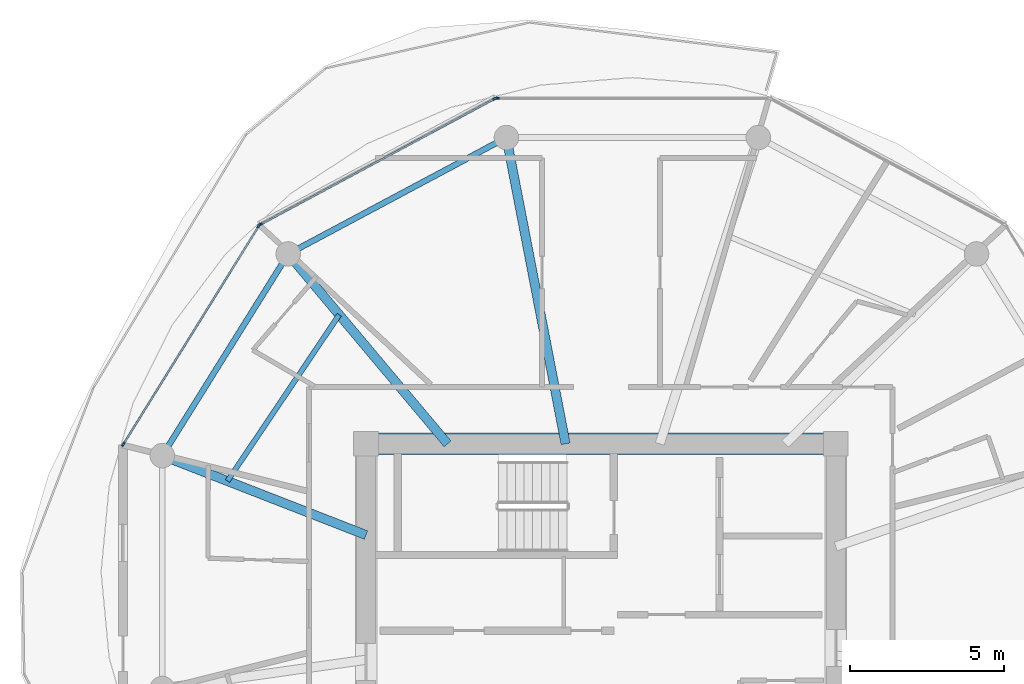
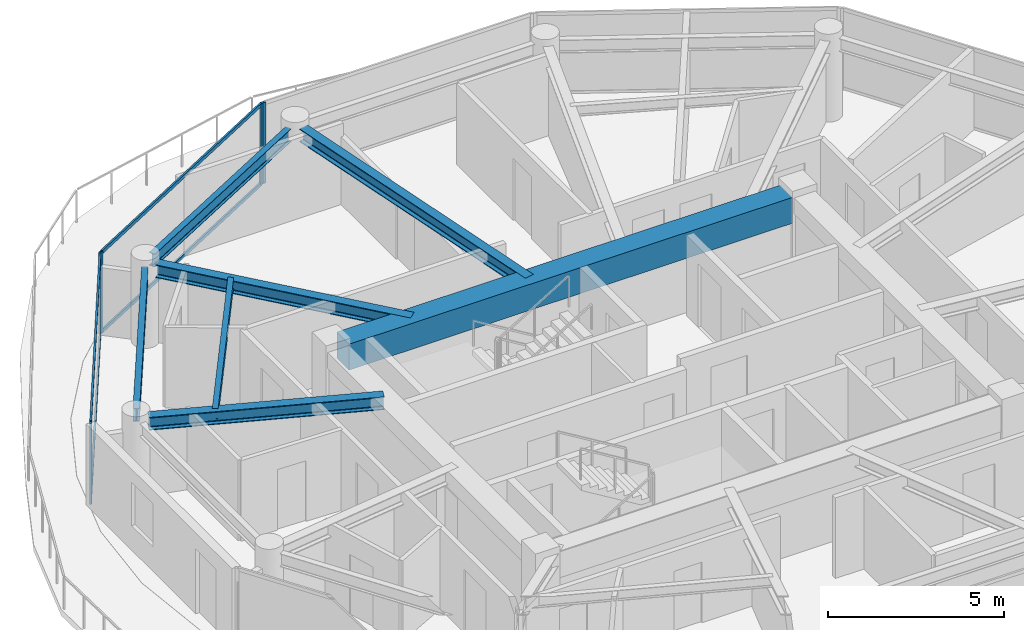
# One storey, part 4 of 22: 9 members, 7 beams, 3 elements without a shape of their own.
"""IFC4 building model written with IfcOpenShell, lengths in metres."""

from ifc_helpers import new_model, si_unit, direction, frame, origin, origin_2d, place, context, subcontext, project, spatial, rectangle, i_section, extrude, source, transform, mapped, material, layer, layer_set, material_profile, profile_set, type_object, type_shapes, element, aggregate, save


model = new_model("IFC4")

# Units and contexts
model_context = context("Model", 3, precision=1e-05, world=origin(), true_north=direction((0.0, 1.0)))
body_context = subcontext(model_context, "Body", "Model", "MODEL_VIEW")
ifc_project = project(units=[si_unit("LENGTHUNIT", "METRE"), si_unit("AREAUNIT", "SQUARE_METRE"), si_unit("VOLUMEUNIT", "CUBIC_METRE"), si_unit("PLANEANGLEUNIT", "RADIAN"), si_unit("MASSUNIT", "GRAM", prefix="KILO")], contexts=[model_context])

# Site, building, storey
site_placement = place(None, origin())
site = spatial("IfcSite", under=ifc_project, at=site_placement, CompositionType="ELEMENT")
building_placement = place(site_placement, origin())
building = spatial("IfcBuilding", under=site, at=building_placement, Name="Norrkilde Senior Care Towers", CompositionType="ELEMENT")
storey_placement = place(building_placement, frame((0.0, 0.0, 152.60009765625)))
storey = spatial("IfcBuildingStorey", under=building, at=storey_placement, Name="L47", CompositionType="ELEMENT", Elevation=152.60009765625)

# Beams
ifc_material_1 = material(Name="Concrete C60/75", Category="concrete")
ifc_material_profile_1 = material_profile(ifc_material_1, rectangle(XDim=0.699951171875, YDim=0.89990234375, at=origin_2d()), Name="RC BM 700x900")
ifc_profile_set_1 = profile_set([ifc_material_profile_1], Name="Concrete C60/75")
beam_type_1 = type_object("IfcBeamType", Name="Core Coupling Girder 700x900", PredefinedType="USERDEFINED", material=ifc_profile_set_1)
shared_shape_1 = source(origin(), body_context, "Body", "SweptSolid", [
    extrude(rectangle(XDim=0.699951171875, YDim=0.89990234375, at=origin_2d()), origin(), (0.0, 0.0, 1.0), 14.5400390625),
])
type_shapes(beam_type_1, [shared_shape_1])
beam_1_placement = place(storey_placement, frame((-35.27001953125, 5.949951171875, 2.35986328125), z_axis=(1.0, 0.0, 0.0), x_axis=(0.0, 1.0, 0.0)))
element("IfcBeam", 1, at=beam_1_placement, inside=storey, type_object=beam_type_1, Name="L47 Core W N Coupling Girder", ObjectType="GIRDER", PredefinedType="USERDEFINED", context=body_context, shape_type="MappedRepresentation", body=[
    mapped(shared_shape_1, transform((0.0, 0.0, 0.0), x_axis=(1.0, 0.0, 0.0), y_axis=(0.0, 1.0, 0.0), z_axis=(0.0, 0.0, 1.0), scale=1.0)),
])
ifc_material_2 = material(Name="Steel S355", Category="steel")
ifc_material_profile_2 = material_profile(ifc_material_2, i_section(OverallWidth=0.18994140625, OverallDepth=0.449951171875, WebThickness=0.009521484375, FlangeThickness=0.0146484375, FilletRadius=0.02099609375, at=origin_2d()), Name="IPE 450")
ifc_profile_set_2 = profile_set([ifc_material_profile_2], Name="Steel S355")
beam_type_2 = type_object("IfcBeamType", Name="Perimeter Ring Spandrel Z3 IPE450", PredefinedType="SPANDREL", material=ifc_profile_set_2)
shared_shape_2 = source(origin(), body_context, "Body", "SweptSolid", [
    extrude(i_section(OverallWidth=0.18994140625, OverallDepth=0.449951171875, WebThickness=0.009521484375, FlangeThickness=0.0146484375, FilletRadius=0.02099609375, at=origin_2d()), origin(), (0.0, 0.0, 1.0), 7.0234375),
])
beam_2_placement = place(storey_placement, frame((-38.373291015625, 11.8291015625, 2.5849609375), z_axis=(-0.529789577822, -0.848129119433, 0.0), x_axis=(0.848129119433, -0.529789577822, 0.0)))
element("IfcBeam", 2, at=beam_2_placement, inside=storey, type_object=beam_type_2, Name="L47 Drum W Perimeter Spandrel 05", PredefinedType="SPANDREL", context=body_context, shape_type="MappedRepresentation", body=[
    mapped(shared_shape_2, transform((0.0, 0.0, 0.0), x_axis=(1.0, 0.0, 0.0), y_axis=(0.0, 1.0, 0.0), z_axis=(0.0, 0.0, 1.0), scale=1.0)),
])
shared_shape_3 = source(origin(), body_context, "Body", "SweptSolid", [
    extrude(i_section(OverallWidth=0.18994140625, OverallDepth=0.449951171875, WebThickness=0.009521484375, FlangeThickness=0.0146484375, FilletRadius=0.02099609375, at=origin_2d()), origin(), (0.0, 0.0, 1.0), 7.333740234375),
])
type_shapes(beam_type_2, [shared_shape_2, shared_shape_3])
beam_3_placement = place(storey_placement, frame((-31.394775390625, 15.756591796875, 2.5849609375), z_axis=(-0.882247866069, -0.470785198172, 0.0), x_axis=(0.470785198172, -0.882247866069, 0.0)))
element("IfcBeam", 3, at=beam_3_placement, inside=storey, type_object=beam_type_2, Name="L47 Drum W Perimeter Spandrel 04", PredefinedType="SPANDREL", context=body_context, shape_type="MappedRepresentation", body=[
    mapped(shared_shape_3, transform((0.0, 0.0, 0.0), x_axis=(1.0, 0.0, 0.0), y_axis=(0.0, 1.0, 0.0), z_axis=(0.0, 0.0, 1.0), scale=1.0)),
])
ifc_material_profile_3 = material_profile(ifc_material_2, i_section(OverallWidth=0.300048828125, OverallDepth=0.449951171875, WebThickness=0.013916015625, FlangeThickness=0.02587890625, FilletRadius=0.027099609375, at=origin_2d()), Name="HEB 450")
ifc_profile_set_3 = profile_set([ifc_material_profile_3], Name="Steel S355")
beam_type_3 = type_object("IfcBeamType", Name="Radial Floor Beam Z3 HEB450", PredefinedType="BEAM", material=ifc_profile_set_3)
shared_shape_4 = source(origin(), body_context, "Body", "SweptSolid", [
    extrude(i_section(OverallWidth=0.300048828125, OverallDepth=0.449951171875, WebThickness=0.013916015625, FlangeThickness=0.02587890625, FilletRadius=0.027099609375, at=origin_2d()), origin(), (0.0, 0.0, 1.0), 9.80078125),
])
beam_4_placement = place(storey_placement, frame((-29.149658203125, 5.949951171875, 2.5849609375), z_axis=(-0.189716727661, 0.98183886827, 0.0), x_axis=(-0.98183886827, -0.189716727661, 0.0)))
element("IfcBeam", 4, at=beam_4_placement, inside=storey, type_object=beam_type_3, Name="L47 Drum W Radial Floor Beam 04", PredefinedType="BEAM", context=body_context, shape_type="MappedRepresentation", body=[
    mapped(shared_shape_4, transform((0.0, 0.0, 0.0), x_axis=(1.0, 0.0, 0.0), y_axis=(0.0, 1.0, 0.0), z_axis=(0.0, 0.0, 1.0), scale=1.0)),
])
shared_shape_5 = source(origin(), body_context, "Body", "SweptSolid", [
    extrude(i_section(OverallWidth=0.300048828125, OverallDepth=0.449951171875, WebThickness=0.013916015625, FlangeThickness=0.02587890625, FilletRadius=0.027099609375, at=origin_2d()), origin(), (0.0, 0.0, 1.0), 7.71337890625),
])
beam_5_placement = place(storey_placement, frame((-32.992919921875, 5.949951171875, 2.5849609375), z_axis=(-0.642808239864, 0.766027131872, 0.0), x_axis=(-0.766027131872, -0.642808239864, 0.0)))
element("IfcBeam", 5, at=beam_5_placement, inside=storey, type_object=beam_type_3, Name="L47 Drum W Radial Floor Beam 05", PredefinedType="BEAM", context=body_context, shape_type="MappedRepresentation", body=[
    mapped(shared_shape_5, transform((0.0, 0.0, 0.0), x_axis=(1.0, 0.0, 0.0), y_axis=(0.0, 1.0, 0.0), z_axis=(0.0, 0.0, 1.0), scale=1.0)),
])
shared_shape_6 = source(origin(), body_context, "Body", "SweptSolid", [
    extrude(i_section(OverallWidth=0.300048828125, OverallDepth=0.449951171875, WebThickness=0.013916015625, FlangeThickness=0.02587890625, FilletRadius=0.027099609375, at=origin_2d()), origin(), (0.0, 0.0, 1.0), 6.760986328125),
])
type_shapes(beam_type_3, [shared_shape_4, shared_shape_5, shared_shape_6])
beam_6_placement = place(storey_placement, frame((-35.64990234375, 2.981201171875, 2.5849609375), z_axis=(-0.931742171387, 0.363120539297, 0.0), x_axis=(-0.363120539297, -0.931742171387, 0.0)))
element("IfcBeam", 6, at=beam_6_placement, inside=storey, type_object=beam_type_3, Name="L47 Drum W Radial Floor Beam 06", PredefinedType="BEAM", context=body_context, shape_type="MappedRepresentation", body=[
    mapped(shared_shape_6, transform((0.0, 0.0, 0.0), x_axis=(1.0, 0.0, 0.0), y_axis=(0.0, 1.0, 0.0), z_axis=(0.0, 0.0, 1.0), scale=1.0)),
])
ifc_material_profile_4 = material_profile(ifc_material_2, i_section(OverallWidth=0.169921875, OverallDepth=0.360107421875, WebThickness=0.008056640625, FlangeThickness=0.0126953125, FilletRadius=0.01806640625, at=origin_2d()), Name="IPE 360")
ifc_profile_set_4 = profile_set([ifc_material_profile_4], Name="Steel S355")
beam_type_4 = type_object("IfcBeamType", Name="Secondary Floor Joist IPE360", PredefinedType="JOIST", material=ifc_profile_set_4)
shared_shape_7 = source(origin(), body_context, "Body", "SweptSolid", [
    extrude(i_section(OverallWidth=0.169921875, OverallDepth=0.360107421875, WebThickness=0.008056640625, FlangeThickness=0.0126953125, FilletRadius=0.01806640625, at=origin_2d()), origin(), (0.0, 0.0, 1.0), 6.525390625),
])
type_shapes(beam_type_4, [shared_shape_7])
beam_7_placement = place(storey_placement, frame((-36.52197265625, 10.155517578125, 2.6298828125), z_axis=(-0.55779590102, -0.829978152005, 0.0), x_axis=(0.829978152005, -0.55779590102, 0.0)))
element("IfcBeam", 7, at=beam_7_placement, inside=storey, type_object=beam_type_4, Name="L47 Drum W Secondary Floor Joist 2", PredefinedType="JOIST", context=body_context, shape_type="MappedRepresentation", body=[
    mapped(shared_shape_7, transform((0.0, 0.0, 0.0), x_axis=(1.0, 0.0, 0.0), y_axis=(0.0, 1.0, 0.0), z_axis=(0.0, 0.0, 1.0), scale=1.0)),
])

# Curtain wall, members
ifc_material_3 = material(Name="Triple Low-E Insulated Glazing", Category="glass")
ifc_layer = layer(ifc_material_3, 0.18994140625)
ifc_layer_set = layer_set([ifc_layer], Name="Triple Low-E Insulated Glazing")
curtain_wall_type = type_object("IfcCurtainWallType", Name="CW4 Zone 3 Senior Residence Curtain Wall", PredefinedType="NOTDEFINED", material=ifc_layer_set)
curtain_wall_1_placement = place(storey_placement, origin())
curtain_wall_1 = element("IfcCurtainWall", 8, at=curtain_wall_1_placement, inside=storey, type_object=curtain_wall_type, Name="L47 Drum W Curtain Wall 04", PredefinedType="NOTDEFINED")
ifc_material_4 = material(Name="Anodised Aluminium", Category="aluminium")
ifc_material_profile_5 = material_profile(ifc_material_4, rectangle(XDim=0.06005859375, YDim=0.1201171875, at=origin_2d()), Name="ALU TRAN 60x120")
ifc_profile_set_5 = profile_set([ifc_material_profile_5], Name="Anodised Aluminium")
member_type_1 = type_object("IfcMemberType", Name="Curtain Wall Transom Typical 60x120", PredefinedType="USERDEFINED", material=ifc_profile_set_5)
shared_shape_8 = source(origin(), body_context, "Body", "SweptSolid", [
    extrude(rectangle(XDim=0.06005859375, YDim=0.1201171875, at=origin_2d()), origin(), (0.0, 0.0, 1.0), 8.301513671875),
])
member_1_placement = place(storey_placement, frame((-43.535400390625, 5.966552734375, 0.02978515625), z_axis=(0.527368718394, 0.849636531029, 0.0), x_axis=(-0.849636531029, 0.527368718394, 0.0)))
member_1 = element("IfcMember", 9, at=member_1_placement, type_object=member_type_1, Name="CW-4 transom 1.1", ObjectType="TRANSOM", PredefinedType="USERDEFINED", context=body_context, shape_type="MappedRepresentation", body=[
    mapped(shared_shape_8, transform((0.0, 0.0, 0.0), x_axis=(1.0, 0.0, 0.0), y_axis=(0.0, 1.0, 0.0), z_axis=(0.0, 0.0, 1.0), scale=1.0)),
])
member_2_placement = place(storey_placement, frame((-43.535400390625, 5.966552734375, 2.77978515625), z_axis=(0.527368718394, 0.849636531029, 0.0), x_axis=(-0.849636531029, 0.527368718394, 0.0)))
member_2 = element("IfcMember", 10, at=member_2_placement, type_object=member_type_1, Name="CW-4 transom 1.2", ObjectType="TRANSOM", PredefinedType="USERDEFINED", context=body_context, shape_type="MappedRepresentation", body=[
    mapped(shared_shape_8, transform((0.0, 0.0, 0.0), x_axis=(1.0, 0.0, 0.0), y_axis=(0.0, 1.0, 0.0), z_axis=(0.0, 0.0, 1.0), scale=1.0)),
])

curtain_wall_2_placement = place(storey_placement, origin())
curtain_wall_2 = element("IfcCurtainWall", 11, at=curtain_wall_2_placement, inside=storey, type_object=curtain_wall_type, Name="L47 Drum W Curtain Wall 03", PredefinedType="NOTDEFINED")
shared_shape_9 = source(origin(), body_context, "Body", "SweptSolid", [
    extrude(rectangle(XDim=0.06005859375, YDim=0.1201171875, at=origin_2d()), origin(), (0.0, 0.0, 1.0), 8.612060546875),
])
type_shapes(member_type_1, [shared_shape_8, shared_shape_9])
member_3_placement = place(storey_placement, frame((-39.06591796875, 13.105712890625, 0.02978515625), z_axis=(0.881000337462, 0.473115636384, 0.0), x_axis=(-0.473115636384, 0.881000337462, 0.0)))
member_3 = element("IfcMember", 12, at=member_3_placement, type_object=member_type_1, Name="CW-4 transom 1.1", ObjectType="TRANSOM", PredefinedType="USERDEFINED", context=body_context, shape_type="MappedRepresentation", body=[
    mapped(shared_shape_9, transform((0.0, 0.0, 0.0), x_axis=(1.0, 0.0, 0.0), y_axis=(0.0, 1.0, 0.0), z_axis=(0.0, 0.0, 1.0), scale=1.0)),
])
member_4_placement = place(storey_placement, frame((-39.06591796875, 13.105712890625, 2.77978515625), z_axis=(0.881000337462, 0.473115636384, 0.0), x_axis=(-0.473115636384, 0.881000337462, 0.0)))
member_4 = element("IfcMember", 13, at=member_4_placement, type_object=member_type_1, Name="CW-4 transom 1.2", ObjectType="TRANSOM", PredefinedType="USERDEFINED", context=body_context, shape_type="MappedRepresentation", body=[
    mapped(shared_shape_9, transform((0.0, 0.0, 0.0), x_axis=(1.0, 0.0, 0.0), y_axis=(0.0, 1.0, 0.0), z_axis=(0.0, 0.0, 1.0), scale=1.0)),
])

# Curtain wall, member
curtain_wall_3_placement = place(storey_placement, origin())
curtain_wall_3 = element("IfcCurtainWall", 14, at=curtain_wall_3_placement, inside=storey, type_object=curtain_wall_type, Name="L47 Drum W Curtain Wall 02", PredefinedType="NOTDEFINED")
ifc_material_profile_6 = material_profile(ifc_material_4, rectangle(XDim=0.06494140625, YDim=0.14990234375, at=origin_2d()), Name="ALU MULL 65x150")
ifc_profile_set_6 = profile_set([ifc_material_profile_6], Name="Anodised Aluminium")
member_type_2 = type_object("IfcMemberType", Name="Curtain Wall Mullion Z3-Z4 65x150", PredefinedType="MULLION", material=ifc_profile_set_6)
shared_shape_10 = source(origin(), body_context, "Body", "SweptSolid", [
    extrude(rectangle(XDim=0.06494140625, YDim=0.14990234375, at=origin_2d()), origin(), (0.0, 0.0, 1.0), 2.809814453125),
])
type_shapes(member_type_2, [shared_shape_10])
member_5_placement = place(storey_placement, frame((-31.388916015625, 17.2109375, 0.0), z_axis=(0.0, 0.0, 1.0), x_axis=(0.0, 1.0, 0.0)))
member_5 = element("IfcMember", 15, at=member_5_placement, type_object=member_type_2, Name="CW-4 mullion 1", PredefinedType="MULLION", context=body_context, shape_type="MappedRepresentation", body=[
    mapped(shared_shape_10, transform((0.0, 0.0, 0.0), x_axis=(1.0, 0.0, 0.0), y_axis=(0.0, 1.0, 0.0), z_axis=(0.0, 0.0, 1.0), scale=1.0)),
])
aggregate(curtain_wall_3, [member_5])

# Member
member_6_placement = place(storey_placement, frame((-39.094482421875, 13.09033203125, 0.0), z_axis=(0.0, 0.0, 1.0), x_axis=(-0.47311715104, 0.880999524059, 0.0)))
member_6 = element("IfcMember", 16, at=member_6_placement, type_object=member_type_2, Name="CW-4 mullion 1", PredefinedType="MULLION", context=body_context, shape_type="MappedRepresentation", body=[
    mapped(shared_shape_10, transform((0.0, 0.0, 0.0), x_axis=(1.0, 0.0, 0.0), y_axis=(0.0, 1.0, 0.0), z_axis=(0.0, 0.0, 1.0), scale=1.0)),
])

member_7_placement = place(storey_placement, frame((-31.4501953125, 17.195556640625, 0.0), z_axis=(0.0, 0.0, 1.0), x_axis=(-0.47311715104, 0.880999524059, 0.0)))
member_7 = element("IfcMember", 17, at=member_7_placement, type_object=member_type_2, Name="CW-4 mullion 2", PredefinedType="MULLION", context=body_context, shape_type="MappedRepresentation", body=[
    mapped(shared_shape_10, transform((0.0, 0.0, 0.0), x_axis=(1.0, 0.0, 0.0), y_axis=(0.0, 1.0, 0.0), z_axis=(0.0, 0.0, 1.0), scale=1.0)),
])

aggregate(curtain_wall_2, [member_6, member_7, member_3, member_4])

member_8_placement = place(storey_placement, frame((-43.552490234375, 5.93896484375, 0.0), z_axis=(0.0, 0.0, 1.0), x_axis=(-0.84963405474, 0.52737270789, 0.0)))
member_8 = element("IfcMember", 18, at=member_8_placement, type_object=member_type_2, Name="CW-4 mullion 1", PredefinedType="MULLION", context=body_context, shape_type="MappedRepresentation", body=[
    mapped(shared_shape_10, transform((0.0, 0.0, 0.0), x_axis=(1.0, 0.0, 0.0), y_axis=(0.0, 1.0, 0.0), z_axis=(0.0, 0.0, 1.0), scale=1.0)),
])

member_9_placement = place(storey_placement, frame((-39.14013671875, 13.04736328125, 0.0), z_axis=(0.0, 0.0, 1.0), x_axis=(-0.84963405474, 0.52737270789, 0.0)))
member_9 = element("IfcMember", 19, at=member_9_placement, type_object=member_type_2, Name="CW-4 mullion 2", PredefinedType="MULLION", context=body_context, shape_type="MappedRepresentation", body=[
    mapped(shared_shape_10, transform((0.0, 0.0, 0.0), x_axis=(1.0, 0.0, 0.0), y_axis=(0.0, 1.0, 0.0), z_axis=(0.0, 0.0, 1.0), scale=1.0)),
])

aggregate(curtain_wall_1, [member_8, member_9, member_1, member_2])

save(model, "model.ifc")
